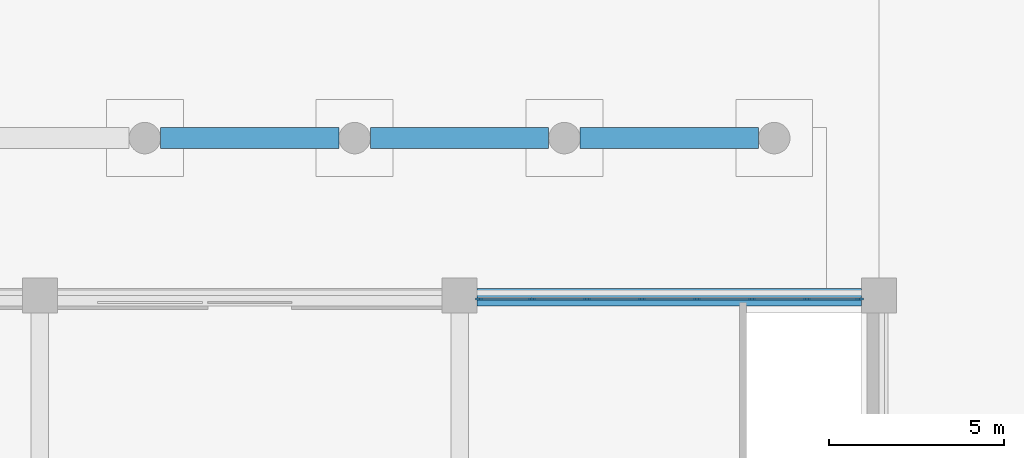
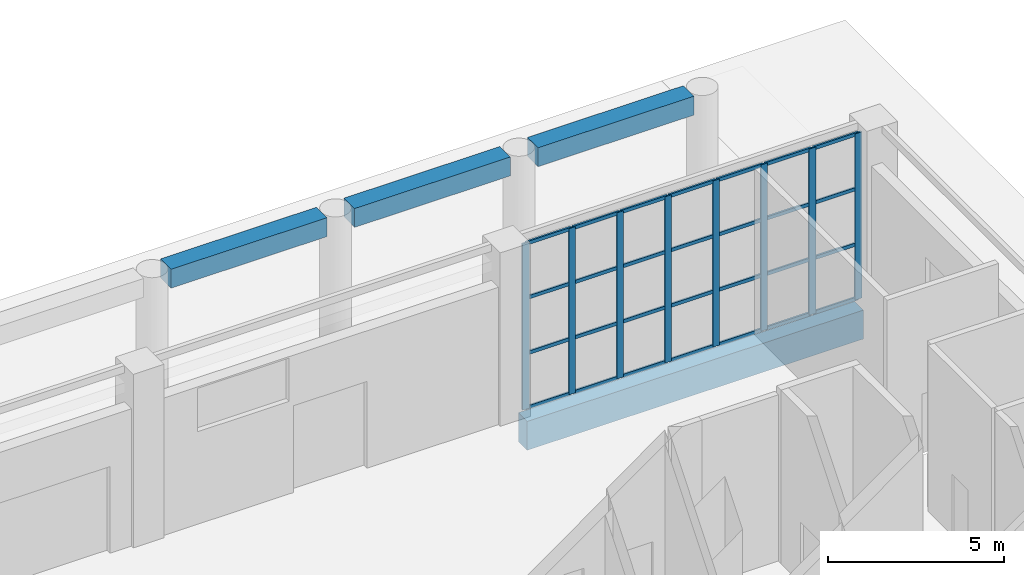
# One storey, part 24 of 59: 36 members, 4 beams, 1 element without a shape of its own.
"""IFC4 building model written with IfcOpenShell, lengths in metres."""

import ifcopenshell
import ifcopenshell.guid

model = None  # the IFC model being written
_history = None  # IfcOwnerHistory: only IFC2X3 demands one
_inside = {}  # id of a spatial element -> (the spatial element, [elements in it])
_under = {}  # id of a project, library or spatial element -> (it, [spatial elements below it])
_declared = {}  # id of a project -> (the project, [libraries it declares])
_typed = {}  # id of a type object -> (the type object, [elements of that type])
_made_of = {}  # id of a material, layer set ... -> (it, [elements and type objects made of it])


def new_model(schema):
    """Start an empty IFC model of exactly this schema.

    Asked for "IFC4X3", IfcOpenShell would pick the latest addendum, in which some entities
    have other attributes; the version numbers below select the first issue.
    IFC2X3 requires an IfcOwnerHistory on every rooted entity: one is made here for all.
    """
    global model, _history
    if schema == "IFC4X3":
        model = ifcopenshell.file(schema_version=(4, 3, 0, 0))
    else:
        model = ifcopenshell.file(schema=schema)
    _inside.clear()
    _under.clear()
    _declared.clear()
    _typed.clear()
    _made_of.clear()
    _history = None
    if model.schema == "IFC2X3":
        org = make("IfcOrganization", Name="unknown")
        user = make(
            "IfcPersonAndOrganization",
            ThePerson=make("IfcPerson", FamilyName="unknown"),
            TheOrganization=org,
        )
        app = make(
            "IfcApplication",
            ApplicationDeveloper=org,
            Version="unknown",
            ApplicationFullName="unknown",
            ApplicationIdentifier="unknown",
        )
        _history = make(
            "IfcOwnerHistory",
            OwningUser=user,
            OwningApplication=app,
            ChangeAction="ADDED",
            CreationDate=0,
        )
    return model


def make(cls, **values):
    """One entity of the class cls with the attributes given. An attribute that is None is left unset."""
    return model.create_entity(
        cls, **{name: value for name, value in values.items() if value is not None}
    )


def rooted(cls, **values):
    """An entity with a GlobalId (a new one), such as an element, a storey or a relation."""
    return make(cls, GlobalId=ifcopenshell.guid.new(), OwnerHistory=_history, **values)


def si_unit(unit_type, name, prefix=None):
    """IfcSIUnit, for example si_unit("LENGTHUNIT", "METRE", prefix="MILLI")."""
    return make("IfcSIUnit", UnitType=unit_type, Prefix=prefix, Name=name)


def assignment(units):
    """IfcUnitAssignment: the units of a project."""
    return None if units is None else make("IfcUnitAssignment", Units=units)


def point(xyz):
    """IfcCartesianPoint."""
    return None if xyz is None else make("IfcCartesianPoint", Coordinates=xyz)


def direction(xyz):
    """IfcDirection."""
    return None if xyz is None else make("IfcDirection", DirectionRatios=xyz)


def frame(location, z_axis=None, x_axis=None):
    """IfcAxis2Placement3D, a coordinate frame: its origin and axes. An axis left out is left unset."""
    return make(
        "IfcAxis2Placement3D",
        Location=point(location),
        Axis=direction(z_axis),
        RefDirection=direction(x_axis),
    )


def frame_2d(location, x_axis=None):
    """IfcAxis2Placement2D, a coordinate frame in the plane: its origin and x axis."""
    return make(
        "IfcAxis2Placement2D", Location=point(location), RefDirection=direction(x_axis)
    )


def origin():
    """The frame at (0, 0, 0) with its axes left unset."""
    return frame((0.0, 0.0, 0.0))


def origin_2d():
    """The frame at (0, 0) in the plane with its x axis left unset."""
    return frame_2d((0.0, 0.0))


def place(relative_to, where):
    """IfcLocalPlacement: puts the frame where relative to a parent placement (None: the world)."""
    return make(
        "IfcLocalPlacement", PlacementRelTo=relative_to, RelativePlacement=where
    )


def context(
    kind, dimensions, precision=None, world=None, true_north=None, identifier=None
):
    """IfcGeometricRepresentationContext, for example the 3D "Model" context."""
    return make(
        "IfcGeometricRepresentationContext",
        ContextIdentifier=identifier,
        ContextType=kind,
        CoordinateSpaceDimension=dimensions,
        Precision=precision,
        WorldCoordinateSystem=world,
        TrueNorth=true_north,
    )


def subcontext(parent, identifier, kind, view, scale=None):
    """IfcGeometricRepresentationSubContext, for example "Body" below "Model"."""
    return make(
        "IfcGeometricRepresentationSubContext",
        ContextIdentifier=identifier,
        ContextType=kind,
        ParentContext=parent,
        TargetScale=scale,
        TargetView=view,
    )


def project(units=None, contexts=None):
    """IfcProject with its units and contexts."""
    return rooted(
        "IfcProject",
        Name="project",
        RepresentationContexts=contexts,
        UnitsInContext=assignment(units),
    )


def spatial(cls, under=None, at=None, **own):
    """A site, building, storey or space (cls), placed at a placement, below another one or the project."""
    s = rooted(cls, ObjectPlacement=at, **own)
    if under is not None:
        _under.setdefault(under.id(), (under, []))[1].append(s)
    return s


def profile(cls, at=None, kind="AREA", **sizes):
    """A parametric profile (cls). Its sizes go by their IFC names, for example OverallWidth=200.0."""
    return make(cls, ProfileType=kind, Position=at, **sizes)


def rectangle(**sizes):
    """IfcRectangleProfileDef."""
    return profile("IfcRectangleProfileDef", **sizes)


def extrude(swept, where, along, depth):
    """IfcExtrudedAreaSolid: the profile swept, set in the frame where, extruded along a direction by depth."""
    return make(
        "IfcExtrudedAreaSolid",
        SweptArea=swept,
        Position=where,
        ExtrudedDirection=direction(along),
        Depth=depth,
    )


def shape(context_of_items, identifier, shape_type, items):
    """IfcShapeRepresentation: the items that make up one representation, for example the "Body"."""
    return make(
        "IfcShapeRepresentation",
        ContextOfItems=context_of_items,
        RepresentationIdentifier=identifier,
        RepresentationType=shape_type,
        Items=items,
    )


def material(Name=None, Category=None):
    """IfcMaterial."""
    return make("IfcMaterial", Name=Name, Category=Category)


def layer(
    of_material, thickness, ventilated=None, Name=None, Category=None, Priority=None
):
    """IfcMaterialLayer: one layer of a wall or slab, of a material (None: an air gap)."""
    return make(
        "IfcMaterialLayer",
        Material=of_material,
        LayerThickness=thickness,
        IsVentilated=ventilated,
        Name=Name,
        Category=Category,
        Priority=Priority,
    )


def layer_set(layers, Name=None):
    """IfcMaterialLayerSet."""
    return make("IfcMaterialLayerSet", MaterialLayers=layers, LayerSetName=Name)


def material_profile(
    of_material, cross_section, Name=None, Category=None, Priority=None
):
    """IfcMaterialProfile: a cross section and its material."""
    return make(
        "IfcMaterialProfile",
        Name=Name,
        Material=of_material,
        Profile=cross_section,
        Priority=Priority,
        Category=Category,
    )


def profile_set(profiles, Name=None, composite=None):
    """IfcMaterialProfileSet."""
    return make(
        "IfcMaterialProfileSet",
        Name=Name,
        MaterialProfiles=profiles,
        CompositeProfile=composite,
    )


def made_of(thing, what):
    """Note that an element or type object is made of a material, layer set ...; save() writes the relation."""
    if what is not None:
        _made_of.setdefault(what.id(), (what, []))[1].append(thing)
    return thing


def type_object(cls, material=None, **own):
    """A type object (cls), such as IfcWallType, which elements share."""
    return made_of(rooted(cls, **own), material)


def element(
    cls,
    number,
    at=None,
    inside=None,
    cuts=None,
    type_object=None,
    material=None,
    context=None,
    identifier="Body",
    shape_type=None,
    held_by="IfcProductDefinitionShape",
    body=None,
    shapes=None,
    **own,
):
    """One element of the class cls, such as IfcWall. Its Tag is "e" and its number.

    at: its placement. inside: the storey or other place that contains it. cuts: it is an
    opening in that element (IfcRelVoidsElement). A single representation is given by context,
    identifier, shape_type and body (its items); several are given by shapes. held_by: the class
    of the entity that holds the representations. save() writes the other relations.
    """
    e = rooted(cls, Tag="e%d" % number, ObjectPlacement=at, **own)
    if body is not None:
        shapes = [shape(context, identifier, shape_type, body)]
    if shapes is not None:
        e.Representation = make(held_by, Representations=shapes)
    if inside is not None:
        _inside.setdefault(inside.id(), (inside, []))[1].append(e)
    if cuts is not None:
        rooted(
            "IfcRelVoidsElement", RelatingBuildingElement=cuts, RelatedOpeningElement=e
        )
    if type_object is not None:
        _typed.setdefault(type_object.id(), (type_object, []))[1].append(e)
    return made_of(e, material)


def aggregate(whole, parts):
    """IfcRelAggregates: a whole, such as a stair, and the parts it consists of."""
    return rooted("IfcRelAggregates", RelatingObject=whole, RelatedObjects=parts)


def save(model, path):
    """Write the relations noted so far, then the file.

    IfcRelAggregates (storeys below a building ...), IfcRelContainedInSpatialStructure (elements
    in a storey), IfcRelDefinesByType, IfcRelAssociatesMaterial and IfcRelDeclares: one each for
    every whole, place, type object, material and project.
    """
    for whole, parts in _under.values():
        aggregate(whole, parts)
    for where, things in _inside.values():
        rooted(
            "IfcRelContainedInSpatialStructure",
            RelatedElements=things,
            RelatingStructure=where,
        )
    for kind, things in _typed.values():
        rooted("IfcRelDefinesByType", RelatedObjects=things, RelatingType=kind)
    for what, things in _made_of.values():
        rooted("IfcRelAssociatesMaterial", RelatedObjects=things, RelatingMaterial=what)
    for by, libraries in _declared.values():
        rooted("IfcRelDeclares", RelatingContext=by, RelatedDefinitions=libraries)
    model.write(path)


model = new_model("IFC4")

# Units and contexts
model_context = context("Model", 3, precision=1e-05, world=origin(), true_north=direction((0.0, 1.0)))
body_context = subcontext(model_context, "Body", "Model", "MODEL_VIEW")
ifc_project = project(units=[si_unit("LENGTHUNIT", "METRE"), si_unit("AREAUNIT", "SQUARE_METRE"), si_unit("VOLUMEUNIT", "CUBIC_METRE"), si_unit("PLANEANGLEUNIT", "RADIAN"), si_unit("MASSUNIT", "GRAM", prefix="KILO")], contexts=[model_context])

# Site, building, storey
site_placement = place(None, origin())
site = spatial("IfcSite", under=ifc_project, at=site_placement, CompositionType="ELEMENT")
building_placement = place(site_placement, origin())
building = spatial("IfcBuilding", under=site, at=building_placement, Name="Lilac Gate Convention Centre", CompositionType="ELEMENT")
storey_placement = place(building_placement, origin())
storey = spatial("IfcBuildingStorey", under=building, at=storey_placement, Name="L00", CompositionType="ELEMENT", Elevation=0.0)

# Curtain wall, members
ifc_material_1 = material(Name="Aluminium framed double glazing", Category="aluminium")
ifc_layer = layer(ifc_material_1, 0.199951171875)
ifc_layer_set = layer_set([ifc_layer], Name="Aluminium framed double glazing")
curtain_wall_type = type_object("IfcCurtainWallType", Name="Unitised curtain wall 1500", PredefinedType="NOTDEFINED", material=ifc_layer_set)
curtain_wall_placement = place(storey_placement, origin())
curtain_wall = element("IfcCurtainWall", 1, at=curtain_wall_placement, inside=storey, type_object=curtain_wall_type, Name="Curtain wall N L00 1", PredefinedType="NOTDEFINED")
ifc_material_2 = material(Name="Aluminium alloy 6063", Category="aluminium")
ifc_material_profile_1 = material_profile(ifc_material_2, rectangle(XDim=0.06005859375, YDim=0.219970703125, at=origin_2d()), Name="Curtain wall mullion 60 x 220")
ifc_profile_set_1 = profile_set([ifc_material_profile_1], Name="Aluminium alloy 6063")
member_type_1 = type_object("IfcMemberType", Name="Curtain wall mullion 60 x 220", PredefinedType="MULLION", material=ifc_profile_set_1)
member_1_placement = place(storey_placement, frame((89.43994140625, 245.89990234375, 0.0), z_axis=(0.0, 0.0, 1.0), x_axis=(0.0, -1.0, 0.0)))
member_1 = element("IfcMember", 2, at=member_1_placement, type_object=member_type_1, Name="CW mullion 1", PredefinedType="MULLION", context=body_context, shape_type="SweptSolid", body=[
    extrude(rectangle(XDim=0.06005859375, YDim=0.219970703125, at=origin_2d()), origin(), (0.0, 0.0, 1.0), 5.75),
])
member_2_placement = place(storey_placement, frame((87.928466796875, 245.89990234375, 0.0), z_axis=(0.0, 0.0, 1.0), x_axis=(0.0, -1.0, 0.0)))
member_2 = element("IfcMember", 3, at=member_2_placement, type_object=member_type_1, Name="CW mullion 2", PredefinedType="MULLION", context=body_context, shape_type="SweptSolid", body=[
    extrude(rectangle(XDim=0.06005859375, YDim=0.219970703125, at=origin_2d()), origin(), (0.0, 0.0, 1.0), 5.75),
])
member_3_placement = place(storey_placement, frame((86.357177734375, 245.89990234375, 0.0), z_axis=(0.0, 0.0, 1.0), x_axis=(0.0, -1.0, 0.0)))
member_3 = element("IfcMember", 4, at=member_3_placement, type_object=member_type_1, Name="CW mullion 3", PredefinedType="MULLION", context=body_context, shape_type="SweptSolid", body=[
    extrude(rectangle(XDim=0.06005859375, YDim=0.219970703125, at=origin_2d()), origin(), (0.0, 0.0, 1.0), 5.75),
])
member_4_placement = place(storey_placement, frame((84.78564453125, 245.89990234375, 0.0), z_axis=(0.0, 0.0, 1.0), x_axis=(0.0, -1.0, 0.0)))
member_4 = element("IfcMember", 5, at=member_4_placement, type_object=member_type_1, Name="CW mullion 4", PredefinedType="MULLION", context=body_context, shape_type="SweptSolid", body=[
    extrude(rectangle(XDim=0.06005859375, YDim=0.219970703125, at=origin_2d()), origin(), (0.0, 0.0, 1.0), 5.75),
])
member_5_placement = place(storey_placement, frame((83.21435546875, 245.89990234375, 0.0), z_axis=(0.0, 0.0, 1.0), x_axis=(0.0, -1.0, 0.0)))
member_5 = element("IfcMember", 6, at=member_5_placement, type_object=member_type_1, Name="CW mullion 5", PredefinedType="MULLION", context=body_context, shape_type="SweptSolid", body=[
    extrude(rectangle(XDim=0.06005859375, YDim=0.219970703125, at=origin_2d()), origin(), (0.0, 0.0, 1.0), 5.75),
])
member_6_placement = place(storey_placement, frame((81.642822265625, 245.89990234375, 0.0), z_axis=(0.0, 0.0, 1.0), x_axis=(0.0, -1.0, 0.0)))
member_6 = element("IfcMember", 7, at=member_6_placement, type_object=member_type_1, Name="CW mullion 6", PredefinedType="MULLION", context=body_context, shape_type="SweptSolid", body=[
    extrude(rectangle(XDim=0.06005859375, YDim=0.219970703125, at=origin_2d()), origin(), (0.0, 0.0, 1.0), 5.75),
])
member_7_placement = place(storey_placement, frame((80.071533203125, 245.89990234375, 0.0), z_axis=(0.0, 0.0, 1.0), x_axis=(0.0, -1.0, 0.0)))
member_7 = element("IfcMember", 8, at=member_7_placement, type_object=member_type_1, Name="CW mullion 7", PredefinedType="MULLION", context=body_context, shape_type="SweptSolid", body=[
    extrude(rectangle(XDim=0.06005859375, YDim=0.219970703125, at=origin_2d()), origin(), (0.0, 0.0, 1.0), 5.75),
])
member_8_placement = place(storey_placement, frame((78.56005859375, 245.89990234375, 0.0), z_axis=(0.0, 0.0, 1.0), x_axis=(0.0, -1.0, 0.0)))
member_8 = element("IfcMember", 9, at=member_8_placement, type_object=member_type_1, Name="CW mullion 8", PredefinedType="MULLION", context=body_context, shape_type="SweptSolid", body=[
    extrude(rectangle(XDim=0.06005859375, YDim=0.219970703125, at=origin_2d()), origin(), (0.0, 0.0, 1.0), 5.75),
])
ifc_material_profile_2 = material_profile(ifc_material_2, rectangle(XDim=0.06005859375, YDim=0.1201171875, at=origin_2d()), Name="Curtain wall transom 60 x 120")
ifc_profile_set_2 = profile_set([ifc_material_profile_2], Name="Aluminium alloy 6063")
member_type_2 = type_object("IfcMemberType", Name="Curtain wall transom 60 x 120", PredefinedType="USERDEFINED", material=ifc_profile_set_2)
member_9_placement = place(storey_placement, frame((89.43994140625, 245.89990234375, 0.030029296875), z_axis=(-1.0, 0.0, 0.0), x_axis=(0.0, -1.0, 0.0)))
member_9 = element("IfcMember", 10, at=member_9_placement, type_object=member_type_2, Name="CW transom 1.1", ObjectType="TRANSOM", PredefinedType="USERDEFINED", context=body_context, shape_type="SweptSolid", body=[
    extrude(rectangle(XDim=0.06005859375, YDim=0.1201171875, at=origin_2d()), origin(), (0.0, 0.0, 1.0), 1.4814453125),
])
member_10_placement = place(storey_placement, frame((89.43994140625, 245.89990234375, 1.916748046875), z_axis=(-1.0, 0.0, 0.0), x_axis=(0.0, -1.0, 0.0)))
member_10 = element("IfcMember", 11, at=member_10_placement, type_object=member_type_2, Name="CW transom 1.2", ObjectType="TRANSOM", PredefinedType="USERDEFINED", context=body_context, shape_type="SweptSolid", body=[
    extrude(rectangle(XDim=0.06005859375, YDim=0.1201171875, at=origin_2d()), origin(), (0.0, 0.0, 1.0), 1.4814453125),
])
member_11_placement = place(storey_placement, frame((89.43994140625, 245.89990234375, 3.833251953125), z_axis=(-1.0, 0.0, 0.0), x_axis=(0.0, -1.0, 0.0)))
member_11 = element("IfcMember", 12, at=member_11_placement, type_object=member_type_2, Name="CW transom 1.3", ObjectType="TRANSOM", PredefinedType="USERDEFINED", context=body_context, shape_type="SweptSolid", body=[
    extrude(rectangle(XDim=0.06005859375, YDim=0.1201171875, at=origin_2d()), origin(), (0.0, 0.0, 1.0), 1.4814453125),
])
member_12_placement = place(storey_placement, frame((89.43994140625, 245.89990234375, 5.719970703125), z_axis=(-1.0, 0.0, 0.0), x_axis=(0.0, -1.0, 0.0)))
member_12 = element("IfcMember", 13, at=member_12_placement, type_object=member_type_2, Name="CW transom 1.4", ObjectType="TRANSOM", PredefinedType="USERDEFINED", context=body_context, shape_type="SweptSolid", body=[
    extrude(rectangle(XDim=0.06005859375, YDim=0.1201171875, at=origin_2d()), origin(), (0.0, 0.0, 1.0), 1.4814453125),
])
member_13_placement = place(storey_placement, frame((87.898681640625, 245.89990234375, 0.030029296875), z_axis=(-1.0, 0.0, 0.0), x_axis=(0.0, -1.0, 0.0)))
member_13 = element("IfcMember", 14, at=member_13_placement, type_object=member_type_2, Name="CW transom 2.1", ObjectType="TRANSOM", PredefinedType="USERDEFINED", context=body_context, shape_type="SweptSolid", body=[
    extrude(rectangle(XDim=0.06005859375, YDim=0.1201171875, at=origin_2d()), origin(), (0.0, 0.0, 1.0), 1.511474609375),
])
member_14_placement = place(storey_placement, frame((87.898681640625, 245.89990234375, 1.916748046875), z_axis=(-1.0, 0.0, 0.0), x_axis=(0.0, -1.0, 0.0)))
member_14 = element("IfcMember", 15, at=member_14_placement, type_object=member_type_2, Name="CW transom 2.2", ObjectType="TRANSOM", PredefinedType="USERDEFINED", context=body_context, shape_type="SweptSolid", body=[
    extrude(rectangle(XDim=0.06005859375, YDim=0.1201171875, at=origin_2d()), origin(), (0.0, 0.0, 1.0), 1.511474609375),
])
member_15_placement = place(storey_placement, frame((87.898681640625, 245.89990234375, 3.833251953125), z_axis=(-1.0, 0.0, 0.0), x_axis=(0.0, -1.0, 0.0)))
member_15 = element("IfcMember", 16, at=member_15_placement, type_object=member_type_2, Name="CW transom 2.3", ObjectType="TRANSOM", PredefinedType="USERDEFINED", context=body_context, shape_type="SweptSolid", body=[
    extrude(rectangle(XDim=0.06005859375, YDim=0.1201171875, at=origin_2d()), origin(), (0.0, 0.0, 1.0), 1.511474609375),
])
member_16_placement = place(storey_placement, frame((87.898681640625, 245.89990234375, 5.719970703125), z_axis=(-1.0, 0.0, 0.0), x_axis=(0.0, -1.0, 0.0)))
member_16 = element("IfcMember", 17, at=member_16_placement, type_object=member_type_2, Name="CW transom 2.4", ObjectType="TRANSOM", PredefinedType="USERDEFINED", context=body_context, shape_type="SweptSolid", body=[
    extrude(rectangle(XDim=0.06005859375, YDim=0.1201171875, at=origin_2d()), origin(), (0.0, 0.0, 1.0), 1.511474609375),
])
member_17_placement = place(storey_placement, frame((86.3271484375, 245.89990234375, 0.030029296875), z_axis=(-1.0, 0.0, 0.0), x_axis=(0.0, -1.0, 0.0)))
member_17 = element("IfcMember", 18, at=member_17_placement, type_object=member_type_2, Name="CW transom 3.1", ObjectType="TRANSOM", PredefinedType="USERDEFINED", context=body_context, shape_type="SweptSolid", body=[
    extrude(rectangle(XDim=0.06005859375, YDim=0.1201171875, at=origin_2d()), origin(), (0.0, 0.0, 1.0), 1.511474609375),
])
member_18_placement = place(storey_placement, frame((86.3271484375, 245.89990234375, 1.916748046875), z_axis=(-1.0, 0.0, 0.0), x_axis=(0.0, -1.0, 0.0)))
member_18 = element("IfcMember", 19, at=member_18_placement, type_object=member_type_2, Name="CW transom 3.2", ObjectType="TRANSOM", PredefinedType="USERDEFINED", context=body_context, shape_type="SweptSolid", body=[
    extrude(rectangle(XDim=0.06005859375, YDim=0.1201171875, at=origin_2d()), origin(), (0.0, 0.0, 1.0), 1.511474609375),
])
member_19_placement = place(storey_placement, frame((86.3271484375, 245.89990234375, 3.833251953125), z_axis=(-1.0, 0.0, 0.0), x_axis=(0.0, -1.0, 0.0)))
member_19 = element("IfcMember", 20, at=member_19_placement, type_object=member_type_2, Name="CW transom 3.3", ObjectType="TRANSOM", PredefinedType="USERDEFINED", context=body_context, shape_type="SweptSolid", body=[
    extrude(rectangle(XDim=0.06005859375, YDim=0.1201171875, at=origin_2d()), origin(), (0.0, 0.0, 1.0), 1.511474609375),
])
member_20_placement = place(storey_placement, frame((86.3271484375, 245.89990234375, 5.719970703125), z_axis=(-1.0, 0.0, 0.0), x_axis=(0.0, -1.0, 0.0)))
member_20 = element("IfcMember", 21, at=member_20_placement, type_object=member_type_2, Name="CW transom 3.4", ObjectType="TRANSOM", PredefinedType="USERDEFINED", context=body_context, shape_type="SweptSolid", body=[
    extrude(rectangle(XDim=0.06005859375, YDim=0.1201171875, at=origin_2d()), origin(), (0.0, 0.0, 1.0), 1.511474609375),
])
member_21_placement = place(storey_placement, frame((84.755615234375, 245.89990234375, 0.030029296875), z_axis=(-1.0, 0.0, 0.0), x_axis=(0.0, -1.0, 0.0)))
member_21 = element("IfcMember", 22, at=member_21_placement, type_object=member_type_2, Name="CW transom 4.1", ObjectType="TRANSOM", PredefinedType="USERDEFINED", context=body_context, shape_type="SweptSolid", body=[
    extrude(rectangle(XDim=0.06005859375, YDim=0.1201171875, at=origin_2d()), origin(), (0.0, 0.0, 1.0), 1.51123046875),
])
member_22_placement = place(storey_placement, frame((84.755615234375, 245.89990234375, 1.916748046875), z_axis=(-1.0, 0.0, 0.0), x_axis=(0.0, -1.0, 0.0)))
member_22 = element("IfcMember", 23, at=member_22_placement, type_object=member_type_2, Name="CW transom 4.2", ObjectType="TRANSOM", PredefinedType="USERDEFINED", context=body_context, shape_type="SweptSolid", body=[
    extrude(rectangle(XDim=0.06005859375, YDim=0.1201171875, at=origin_2d()), origin(), (0.0, 0.0, 1.0), 1.51123046875),
])
member_23_placement = place(storey_placement, frame((84.755615234375, 245.89990234375, 3.833251953125), z_axis=(-1.0, 0.0, 0.0), x_axis=(0.0, -1.0, 0.0)))
member_23 = element("IfcMember", 24, at=member_23_placement, type_object=member_type_2, Name="CW transom 4.3", ObjectType="TRANSOM", PredefinedType="USERDEFINED", context=body_context, shape_type="SweptSolid", body=[
    extrude(rectangle(XDim=0.06005859375, YDim=0.1201171875, at=origin_2d()), origin(), (0.0, 0.0, 1.0), 1.51123046875),
])
member_24_placement = place(storey_placement, frame((84.755615234375, 245.89990234375, 5.719970703125), z_axis=(-1.0, 0.0, 0.0), x_axis=(0.0, -1.0, 0.0)))
member_24 = element("IfcMember", 25, at=member_24_placement, type_object=member_type_2, Name="CW transom 4.4", ObjectType="TRANSOM", PredefinedType="USERDEFINED", context=body_context, shape_type="SweptSolid", body=[
    extrude(rectangle(XDim=0.06005859375, YDim=0.1201171875, at=origin_2d()), origin(), (0.0, 0.0, 1.0), 1.51123046875),
])
member_25_placement = place(storey_placement, frame((83.184326171875, 245.89990234375, 0.030029296875), z_axis=(-1.0, 0.0, 0.0), x_axis=(0.0, -1.0, 0.0)))
member_25 = element("IfcMember", 26, at=member_25_placement, type_object=member_type_2, Name="CW transom 5.1", ObjectType="TRANSOM", PredefinedType="USERDEFINED", context=body_context, shape_type="SweptSolid", body=[
    extrude(rectangle(XDim=0.06005859375, YDim=0.1201171875, at=origin_2d()), origin(), (0.0, 0.0, 1.0), 1.511474609375),
])
member_26_placement = place(storey_placement, frame((83.184326171875, 245.89990234375, 1.916748046875), z_axis=(-1.0, 0.0, 0.0), x_axis=(0.0, -1.0, 0.0)))
member_26 = element("IfcMember", 27, at=member_26_placement, type_object=member_type_2, Name="CW transom 5.2", ObjectType="TRANSOM", PredefinedType="USERDEFINED", context=body_context, shape_type="SweptSolid", body=[
    extrude(rectangle(XDim=0.06005859375, YDim=0.1201171875, at=origin_2d()), origin(), (0.0, 0.0, 1.0), 1.511474609375),
])
member_27_placement = place(storey_placement, frame((83.184326171875, 245.89990234375, 3.833251953125), z_axis=(-1.0, 0.0, 0.0), x_axis=(0.0, -1.0, 0.0)))
member_27 = element("IfcMember", 28, at=member_27_placement, type_object=member_type_2, Name="CW transom 5.3", ObjectType="TRANSOM", PredefinedType="USERDEFINED", context=body_context, shape_type="SweptSolid", body=[
    extrude(rectangle(XDim=0.06005859375, YDim=0.1201171875, at=origin_2d()), origin(), (0.0, 0.0, 1.0), 1.511474609375),
])
member_28_placement = place(storey_placement, frame((83.184326171875, 245.89990234375, 5.719970703125), z_axis=(-1.0, 0.0, 0.0), x_axis=(0.0, -1.0, 0.0)))
member_28 = element("IfcMember", 29, at=member_28_placement, type_object=member_type_2, Name="CW transom 5.4", ObjectType="TRANSOM", PredefinedType="USERDEFINED", context=body_context, shape_type="SweptSolid", body=[
    extrude(rectangle(XDim=0.06005859375, YDim=0.1201171875, at=origin_2d()), origin(), (0.0, 0.0, 1.0), 1.511474609375),
])
member_29_placement = place(storey_placement, frame((81.61279296875, 245.89990234375, 0.030029296875), z_axis=(-1.0, 0.0, 0.0), x_axis=(0.0, -1.0, 0.0)))
member_29 = element("IfcMember", 30, at=member_29_placement, type_object=member_type_2, Name="CW transom 6.1", ObjectType="TRANSOM", PredefinedType="USERDEFINED", context=body_context, shape_type="SweptSolid", body=[
    extrude(rectangle(XDim=0.06005859375, YDim=0.1201171875, at=origin_2d()), origin(), (0.0, 0.0, 1.0), 1.511474609375),
])
member_30_placement = place(storey_placement, frame((81.61279296875, 245.89990234375, 1.916748046875), z_axis=(-1.0, 0.0, 0.0), x_axis=(0.0, -1.0, 0.0)))
member_30 = element("IfcMember", 31, at=member_30_placement, type_object=member_type_2, Name="CW transom 6.2", ObjectType="TRANSOM", PredefinedType="USERDEFINED", context=body_context, shape_type="SweptSolid", body=[
    extrude(rectangle(XDim=0.06005859375, YDim=0.1201171875, at=origin_2d()), origin(), (0.0, 0.0, 1.0), 1.511474609375),
])
member_31_placement = place(storey_placement, frame((81.61279296875, 245.89990234375, 3.833251953125), z_axis=(-1.0, 0.0, 0.0), x_axis=(0.0, -1.0, 0.0)))
member_31 = element("IfcMember", 32, at=member_31_placement, type_object=member_type_2, Name="CW transom 6.3", ObjectType="TRANSOM", PredefinedType="USERDEFINED", context=body_context, shape_type="SweptSolid", body=[
    extrude(rectangle(XDim=0.06005859375, YDim=0.1201171875, at=origin_2d()), origin(), (0.0, 0.0, 1.0), 1.511474609375),
])
member_32_placement = place(storey_placement, frame((81.61279296875, 245.89990234375, 5.719970703125), z_axis=(-1.0, 0.0, 0.0), x_axis=(0.0, -1.0, 0.0)))
member_32 = element("IfcMember", 33, at=member_32_placement, type_object=member_type_2, Name="CW transom 6.4", ObjectType="TRANSOM", PredefinedType="USERDEFINED", context=body_context, shape_type="SweptSolid", body=[
    extrude(rectangle(XDim=0.06005859375, YDim=0.1201171875, at=origin_2d()), origin(), (0.0, 0.0, 1.0), 1.511474609375),
])
member_33_placement = place(storey_placement, frame((80.04150390625, 245.89990234375, 0.030029296875), z_axis=(-1.0, 0.0, 0.0), x_axis=(0.0, -1.0, 0.0)))
member_33 = element("IfcMember", 34, at=member_33_placement, type_object=member_type_2, Name="CW transom 7.1", ObjectType="TRANSOM", PredefinedType="USERDEFINED", context=body_context, shape_type="SweptSolid", body=[
    extrude(rectangle(XDim=0.06005859375, YDim=0.1201171875, at=origin_2d()), origin(), (0.0, 0.0, 1.0), 1.4814453125),
])
member_34_placement = place(storey_placement, frame((80.04150390625, 245.89990234375, 1.916748046875), z_axis=(-1.0, 0.0, 0.0), x_axis=(0.0, -1.0, 0.0)))
member_34 = element("IfcMember", 35, at=member_34_placement, type_object=member_type_2, Name="CW transom 7.2", ObjectType="TRANSOM", PredefinedType="USERDEFINED", context=body_context, shape_type="SweptSolid", body=[
    extrude(rectangle(XDim=0.06005859375, YDim=0.1201171875, at=origin_2d()), origin(), (0.0, 0.0, 1.0), 1.4814453125),
])
member_35_placement = place(storey_placement, frame((80.04150390625, 245.89990234375, 3.833251953125), z_axis=(-1.0, 0.0, 0.0), x_axis=(0.0, -1.0, 0.0)))
member_35 = element("IfcMember", 36, at=member_35_placement, type_object=member_type_2, Name="CW transom 7.3", ObjectType="TRANSOM", PredefinedType="USERDEFINED", context=body_context, shape_type="SweptSolid", body=[
    extrude(rectangle(XDim=0.06005859375, YDim=0.1201171875, at=origin_2d()), origin(), (0.0, 0.0, 1.0), 1.4814453125),
])
member_36_placement = place(storey_placement, frame((80.04150390625, 245.89990234375, 5.719970703125), z_axis=(-1.0, 0.0, 0.0), x_axis=(0.0, -1.0, 0.0)))
member_36 = element("IfcMember", 37, at=member_36_placement, type_object=member_type_2, Name="CW transom 7.4", ObjectType="TRANSOM", PredefinedType="USERDEFINED", context=body_context, shape_type="SweptSolid", body=[
    extrude(rectangle(XDim=0.06005859375, YDim=0.1201171875, at=origin_2d()), origin(), (0.0, 0.0, 1.0), 1.4814453125),
])
aggregate(curtain_wall, [member_1, member_2, member_3, member_4, member_5, member_6, member_7, member_8, member_9, member_10, member_11, member_12, member_13, member_14, member_15, member_16, member_17, member_18, member_19, member_20, member_21, member_22, member_23, member_24, member_25, member_26, member_27, member_28, member_29, member_30, member_31, member_32, member_33, member_34, member_35, member_36])

# Beams
ifc_material_3 = material(Name="Concrete C40", Category="concrete")
ifc_material_profile_3 = material_profile(ifc_material_3, rectangle(XDim=0.60009765625, YDim=0.64990234375, at=origin_2d()), Name="Entablature beam 600 x 650")
ifc_profile_set_3 = profile_set([ifc_material_profile_3], Name="Concrete C40")
beam_type_1 = type_object("IfcBeamType", Name="Entablature beam 600 x 650", PredefinedType="BEAM", material=ifc_profile_set_3)
for number, where, z_axis, x_axis, name in (
    (38, (69.449951171875, 250.5, 5.074951171875), (1.0, 0.0, 0.0), (0.0, 1.0, 0.0), "Entablature beam 5"),
    (39, (75.449951171875, 250.5, 5.074951171875), (1.0, 0.0, 0.0), (0.0, 1.0, 0.0), "Entablature beam 6"),
    (40, (81.449951171875, 250.5, 5.074951171875), (1.0, 0.0, 0.0), (0.0, 1.0, 0.0), "Entablature beam 7"),
):
    element("IfcBeam", number, at=place(storey_placement, frame(where, z_axis=z_axis, x_axis=x_axis)), inside=storey, type_object=beam_type_1, Name=name, PredefinedType="BEAM", context=body_context, shape_type="SweptSolid", body=[
        extrude(rectangle(XDim=0.60009765625, YDim=0.64990234375, at=origin_2d()), origin(), (0.0, 0.0, 1.0), 5.10009765625),
    ])
ifc_material_profile_4 = material_profile(ifc_material_3, rectangle(XDim=0.5, YDim=1.0, at=origin_2d()), Name="RC 500x1000")
ifc_profile_set_4 = profile_set([ifc_material_profile_4], Name="Concrete C40")
beam_type_2 = type_object("IfcBeamType", Name="Primary beam 500x1000 C40", PredefinedType="BEAM", material=ifc_profile_set_4)
beam_placement = place(storey_placement, frame((78.5, 245.949951171875, -0.800048828125), z_axis=(1.0, 0.0, 0.0), x_axis=(0.0, 1.0, 0.0)))
element("IfcBeam", 41, at=beam_placement, inside=storey, type_object=beam_type_2, Name="RB1 L00 7/U-8/U", PredefinedType="BEAM", context=body_context, shape_type="SweptSolid", body=[
    extrude(rectangle(XDim=0.5, YDim=1.0, at=origin_2d()), origin(), (0.0, 0.0, 1.0), 11.0),
])

save(model, "model.ifc")
